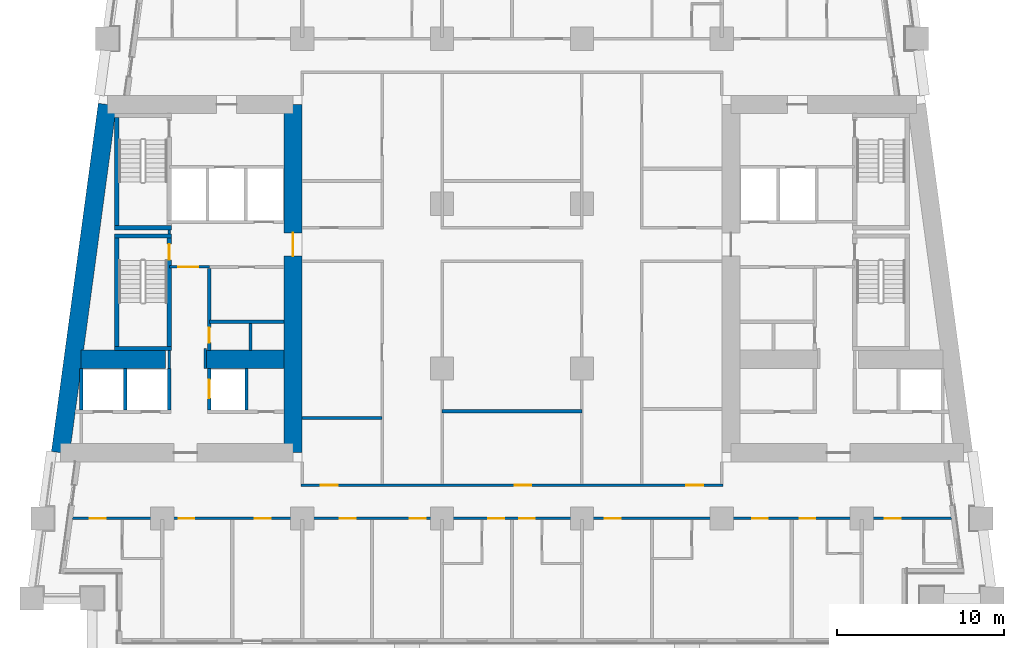
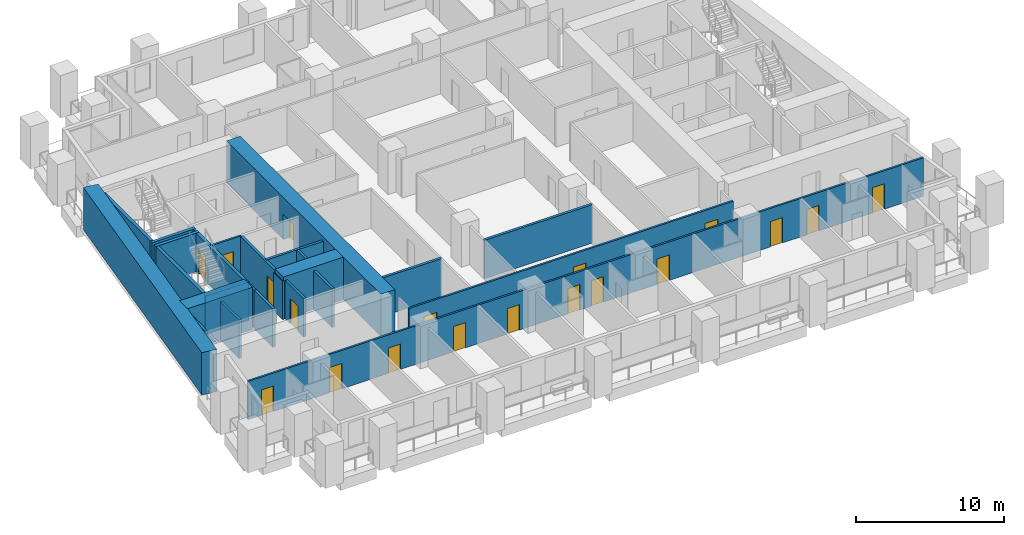
# One storey, part 3 of 12: 26 walls, 19 doors, 19 openings.
"""IFC4 building model written with IfcOpenShell, lengths in metres."""

import ifcopenshell
import ifcopenshell.guid

model = None  # the IFC model being written
_history = None  # IfcOwnerHistory: only IFC2X3 demands one
_inside = {}  # id of a spatial element -> (the spatial element, [elements in it])
_under = {}  # id of a project, library or spatial element -> (it, [spatial elements below it])
_declared = {}  # id of a project -> (the project, [libraries it declares])
_typed = {}  # id of a type object -> (the type object, [elements of that type])
_made_of = {}  # id of a material, layer set ... -> (it, [elements and type objects made of it])


def new_model(schema):
    """Start an empty IFC model of exactly this schema.

    Asked for "IFC4X3", IfcOpenShell would pick the latest addendum, in which some entities
    have other attributes; the version numbers below select the first issue.
    IFC2X3 requires an IfcOwnerHistory on every rooted entity: one is made here for all.
    """
    global model, _history
    if schema == "IFC4X3":
        model = ifcopenshell.file(schema_version=(4, 3, 0, 0))
    else:
        model = ifcopenshell.file(schema=schema)
    _inside.clear()
    _under.clear()
    _declared.clear()
    _typed.clear()
    _made_of.clear()
    _history = None
    if model.schema == "IFC2X3":
        org = make("IfcOrganization", Name="unknown")
        user = make(
            "IfcPersonAndOrganization",
            ThePerson=make("IfcPerson", FamilyName="unknown"),
            TheOrganization=org,
        )
        app = make(
            "IfcApplication",
            ApplicationDeveloper=org,
            Version="unknown",
            ApplicationFullName="unknown",
            ApplicationIdentifier="unknown",
        )
        _history = make(
            "IfcOwnerHistory",
            OwningUser=user,
            OwningApplication=app,
            ChangeAction="ADDED",
            CreationDate=0,
        )
    return model


def make(cls, **values):
    """One entity of the class cls with the attributes given. An attribute that is None is left unset."""
    return model.create_entity(
        cls, **{name: value for name, value in values.items() if value is not None}
    )


def rooted(cls, **values):
    """An entity with a GlobalId (a new one), such as an element, a storey or a relation."""
    return make(cls, GlobalId=ifcopenshell.guid.new(), OwnerHistory=_history, **values)


def si_unit(unit_type, name, prefix=None):
    """IfcSIUnit, for example si_unit("LENGTHUNIT", "METRE", prefix="MILLI")."""
    return make("IfcSIUnit", UnitType=unit_type, Prefix=prefix, Name=name)


def assignment(units):
    """IfcUnitAssignment: the units of a project."""
    return None if units is None else make("IfcUnitAssignment", Units=units)


def point(xyz):
    """IfcCartesianPoint."""
    return None if xyz is None else make("IfcCartesianPoint", Coordinates=xyz)


def direction(xyz):
    """IfcDirection."""
    return None if xyz is None else make("IfcDirection", DirectionRatios=xyz)


def frame(location, z_axis=None, x_axis=None):
    """IfcAxis2Placement3D, a coordinate frame: its origin and axes. An axis left out is left unset."""
    return make(
        "IfcAxis2Placement3D",
        Location=point(location),
        Axis=direction(z_axis),
        RefDirection=direction(x_axis),
    )


def frame_2d(location, x_axis=None):
    """IfcAxis2Placement2D, a coordinate frame in the plane: its origin and x axis."""
    return make(
        "IfcAxis2Placement2D", Location=point(location), RefDirection=direction(x_axis)
    )


def origin():
    """The frame at (0, 0, 0) with its axes left unset."""
    return frame((0.0, 0.0, 0.0))


def place(relative_to, where):
    """IfcLocalPlacement: puts the frame where relative to a parent placement (None: the world)."""
    return make(
        "IfcLocalPlacement", PlacementRelTo=relative_to, RelativePlacement=where
    )


def context(
    kind, dimensions, precision=None, world=None, true_north=None, identifier=None
):
    """IfcGeometricRepresentationContext, for example the 3D "Model" context."""
    return make(
        "IfcGeometricRepresentationContext",
        ContextIdentifier=identifier,
        ContextType=kind,
        CoordinateSpaceDimension=dimensions,
        Precision=precision,
        WorldCoordinateSystem=world,
        TrueNorth=true_north,
    )


def subcontext(parent, identifier, kind, view, scale=None):
    """IfcGeometricRepresentationSubContext, for example "Body" below "Model"."""
    return make(
        "IfcGeometricRepresentationSubContext",
        ContextIdentifier=identifier,
        ContextType=kind,
        ParentContext=parent,
        TargetScale=scale,
        TargetView=view,
    )


def project(units=None, contexts=None):
    """IfcProject with its units and contexts."""
    return rooted(
        "IfcProject",
        Name="project",
        RepresentationContexts=contexts,
        UnitsInContext=assignment(units),
    )


def spatial(cls, under=None, at=None, **own):
    """A site, building, storey or space (cls), placed at a placement, below another one or the project."""
    s = rooted(cls, ObjectPlacement=at, **own)
    if under is not None:
        _under.setdefault(under.id(), (under, []))[1].append(s)
    return s


def profile(cls, at=None, kind="AREA", **sizes):
    """A parametric profile (cls). Its sizes go by their IFC names, for example OverallWidth=200.0."""
    return make(cls, ProfileType=kind, Position=at, **sizes)


def rectangle(**sizes):
    """IfcRectangleProfileDef."""
    return profile("IfcRectangleProfileDef", **sizes)


def extrude(swept, where, along, depth):
    """IfcExtrudedAreaSolid: the profile swept, set in the frame where, extruded along a direction by depth."""
    return make(
        "IfcExtrudedAreaSolid",
        SweptArea=swept,
        Position=where,
        ExtrudedDirection=direction(along),
        Depth=depth,
    )


def shape(context_of_items, identifier, shape_type, items):
    """IfcShapeRepresentation: the items that make up one representation, for example the "Body"."""
    return make(
        "IfcShapeRepresentation",
        ContextOfItems=context_of_items,
        RepresentationIdentifier=identifier,
        RepresentationType=shape_type,
        Items=items,
    )


def material(Name=None, Category=None):
    """IfcMaterial."""
    return make("IfcMaterial", Name=Name, Category=Category)


def layer(
    of_material, thickness, ventilated=None, Name=None, Category=None, Priority=None
):
    """IfcMaterialLayer: one layer of a wall or slab, of a material (None: an air gap)."""
    return make(
        "IfcMaterialLayer",
        Material=of_material,
        LayerThickness=thickness,
        IsVentilated=ventilated,
        Name=Name,
        Category=Category,
        Priority=Priority,
    )


def layer_set(layers, Name=None):
    """IfcMaterialLayerSet."""
    return make("IfcMaterialLayerSet", MaterialLayers=layers, LayerSetName=Name)


def made_of(thing, what):
    """Note that an element or type object is made of a material, layer set ...; save() writes the relation."""
    if what is not None:
        _made_of.setdefault(what.id(), (what, []))[1].append(thing)
    return thing


def type_object(cls, material=None, **own):
    """A type object (cls), such as IfcWallType, which elements share."""
    return made_of(rooted(cls, **own), material)


def element(
    cls,
    number,
    at=None,
    inside=None,
    cuts=None,
    type_object=None,
    material=None,
    context=None,
    identifier="Body",
    shape_type=None,
    held_by="IfcProductDefinitionShape",
    body=None,
    shapes=None,
    **own,
):
    """One element of the class cls, such as IfcWall. Its Tag is "e" and its number.

    at: its placement. inside: the storey or other place that contains it. cuts: it is an
    opening in that element (IfcRelVoidsElement). A single representation is given by context,
    identifier, shape_type and body (its items); several are given by shapes. held_by: the class
    of the entity that holds the representations. save() writes the other relations.
    """
    e = rooted(cls, Tag="e%d" % number, ObjectPlacement=at, **own)
    if body is not None:
        shapes = [shape(context, identifier, shape_type, body)]
    if shapes is not None:
        e.Representation = make(held_by, Representations=shapes)
    if inside is not None:
        _inside.setdefault(inside.id(), (inside, []))[1].append(e)
    if cuts is not None:
        rooted(
            "IfcRelVoidsElement", RelatingBuildingElement=cuts, RelatedOpeningElement=e
        )
    if type_object is not None:
        _typed.setdefault(type_object.id(), (type_object, []))[1].append(e)
    return made_of(e, material)


def fill(opening, filler):
    """IfcRelFillsElement: the door or window that sits in an opening."""
    return rooted(
        "IfcRelFillsElement",
        RelatingOpeningElement=opening,
        RelatedBuildingElement=filler,
    )


def aggregate(whole, parts):
    """IfcRelAggregates: a whole, such as a stair, and the parts it consists of."""
    return rooted("IfcRelAggregates", RelatingObject=whole, RelatedObjects=parts)


def save(model, path):
    """Write the relations noted so far, then the file.

    IfcRelAggregates (storeys below a building ...), IfcRelContainedInSpatialStructure (elements
    in a storey), IfcRelDefinesByType, IfcRelAssociatesMaterial and IfcRelDeclares: one each for
    every whole, place, type object, material and project.
    """
    for whole, parts in _under.values():
        aggregate(whole, parts)
    for where, things in _inside.values():
        rooted(
            "IfcRelContainedInSpatialStructure",
            RelatedElements=things,
            RelatingStructure=where,
        )
    for kind, things in _typed.values():
        rooted("IfcRelDefinesByType", RelatedObjects=things, RelatingType=kind)
    for what, things in _made_of.values():
        rooted("IfcRelAssociatesMaterial", RelatedObjects=things, RelatingMaterial=what)
    for by, libraries in _declared.values():
        rooted("IfcRelDeclares", RelatingContext=by, RelatedDefinitions=libraries)
    model.write(path)


model = new_model("IFC4")

# Units and contexts
model_context = context("Model", 3, precision=1e-05, world=origin(), true_north=direction((0.0, 1.0)))
body_context = subcontext(model_context, "Body", "Model", "MODEL_VIEW")
ifc_project = project(units=[si_unit("LENGTHUNIT", "METRE"), si_unit("AREAUNIT", "SQUARE_METRE"), si_unit("VOLUMEUNIT", "CUBIC_METRE"), si_unit("PLANEANGLEUNIT", "RADIAN"), si_unit("MASSUNIT", "GRAM", prefix="KILO")], contexts=[model_context])

# Site, building, storey
site_placement = place(None, origin())
site = spatial("IfcSite", under=ifc_project, at=site_placement, CompositionType="ELEMENT")
building_placement = place(site_placement, origin())
building = spatial("IfcBuilding", under=site, at=building_placement, Name="Candeia Pilgrim Tower and Theatre", CompositionType="ELEMENT")
storey_placement = place(building_placement, frame((0.0, 0.0, 42.5)))
storey = spatial("IfcBuildingStorey", under=building, at=storey_placement, Name="L07", CompositionType="ELEMENT", Elevation=42.5)

# Wall, opening, door
ifc_material_1 = material(Name="Concrete C80/95", Category="concrete")
ifc_layer_1 = layer(ifc_material_1, 1.10009765625)
ifc_layer_set_1 = layer_set([ifc_layer_1], Name="Core wall 1100 C80/95")
wall_type_1 = type_object("IfcWallType", Name="Core wall 1100 C80/95", PredefinedType="SHEAR", material=ifc_layer_set_1)
wall_1_placement = place(storey_placement, frame((100.25, 131.85009765625, 0.0), z_axis=(0.0, 0.0, 1.0), x_axis=(0.0, -1.0, 0.0)))
wall_1 = element("IfcWall", 1, at=wall_1_placement, inside=storey, type_object=wall_type_1, Name="Core wall W2", PredefinedType="SHEAR", context=body_context, shape_type="SweptSolid", body=[
    extrude(rectangle(XDim=20.900146484375, YDim=1.10009765625, at=frame_2d((10.4501953125, 0.0))), origin(), (0.0, 0.0, 1.0), 3.5),
])
opening_1_placement = place(wall_1_placement, frame((7.699951171875, 0.0, 0.0)))
opening_1 = element("IfcOpeningElement", 2, at=opening_1_placement, cuts=wall_1, Name="Opening L07-D057", PredefinedType="OPENING", context=body_context, shape_type="SweptSolid", body=[
    extrude(rectangle(XDim=1.39990234375, YDim=2.10009765625, at=frame_2d((0.699951171875, 1.050048828125))), frame((0.0, 0.56005859375, 0.0), z_axis=(0.0, -1.0, 0.0), x_axis=(1.0, 0.0, 0.0)), (0.0, 0.0, 1.0), 1.1201171875),
])
ifc_material_2 = material(Name="Steel fire door set", Category="steel")
door_type_1 = type_object("IfcDoorType", Name="D-1400-FD60", OperationType="NOTDEFINED", PredefinedType="DOOR", material=ifc_material_2)
door_1_placement = place(opening_1_placement, origin())
door_1 = element("IfcDoor", 3, at=door_1_placement, inside=storey, type_object=door_type_1, Name="Door L07-D057", OperationType="SINGLE_SWING_RIGHT", OverallHeight=2.10009765625, OverallWidth=1.39990234375, PredefinedType="DOOR", context=body_context, shape_type="SweptSolid", body=[
    extrude(rectangle(XDim=1.39990234375, YDim=2.10009765625, at=frame_2d((0.699951171875, 1.050048828125))), frame((0.0, 0.02490234375, 0.0), z_axis=(0.0, -1.0, 0.0), x_axis=(1.0, 0.0, 0.0)), (0.0, 0.0, 1.0), 0.050048828125),
])
fill(opening_1, door_1)

# Walls
wall_2_placement = place(storey_placement, frame((86.29833984375, 110.949951171875, 0.0), z_axis=(0.0, 0.0, 1.0), x_axis=(0.133400422634, 0.99106222168, 0.0)))
element("IfcWall", 4, at=wall_2_placement, inside=storey, type_object=wall_type_1, Name="Core wall W4", PredefinedType="SHEAR", context=body_context, shape_type="SweptSolid", body=[
    extrude(rectangle(XDim=21.088623046875, YDim=1.10009765625, at=frame_2d((10.54443359375, 0.0))), origin(), (0.0, 0.0, 1.0), 3.5),
])
wall_3_placement = place(storey_placement, frame((87.523193359375, 116.550048828125, 0.0), z_axis=(0.0, 0.0, 1.0), x_axis=(1.0, 0.0, 0.0)))
element("IfcWall", 5, at=wall_3_placement, inside=storey, type_object=wall_type_1, Name="Core wall W5", PredefinedType="SHEAR", context=body_context, shape_type="SweptSolid", body=[
    extrude(rectangle(XDim=5.076904296875, YDim=1.10009765625, at=frame_2d((2.53857421875, 0.0))), origin(), (0.0, 0.0, 1.0), 3.5),
])
wall_4_placement = place(storey_placement, frame((95.0, 116.550048828125, 0.0), z_axis=(0.0, 0.0, 1.0), x_axis=(1.0, 0.0, 0.0)))
element("IfcWall", 6, at=wall_4_placement, inside=storey, type_object=wall_type_1, Name="Core wall W6", PredefinedType="SHEAR", context=body_context, shape_type="SweptSolid", body=[
    extrude(rectangle(XDim=4.699951171875, YDim=1.10009765625, at=frame_2d((2.35009765625, 0.0))), origin(), (0.0, 0.0, 1.0), 3.5),
])

# Wall, opening, door
ifc_material_3 = material(Name="Gypsum board partition on steel studs", Category="steel")
ifc_layer_2 = layer(ifc_material_3, 0.14990234375)
ifc_layer_set_2 = layer_set([ifc_layer_2], Name="PW-150 lobby wall")
wall_type_2 = type_object("IfcWallType", Name="PW-150 lobby wall", PredefinedType="PARTITIONING", material=ifc_layer_set_2)
wall_5_placement = place(storey_placement, frame((92.826904296875, 122.10009765625, 0.0), z_axis=(0.0, 0.0, 1.0), x_axis=(1.0, 0.0, 0.0)))
wall_5 = element("IfcWall", 7, at=wall_5_placement, inside=storey, type_object=wall_type_2, Name="Lobby wall L07-022", PredefinedType="PARTITIONING", context=body_context, shape_type="SweptSolid", body=[
    extrude(rectangle(XDim=2.400146484375, YDim=0.14990234375, at=frame_2d((1.2001953125, 0.0))), origin(), (0.0, 0.0, 1.0), 3.179931640625),
])
opening_2_placement = place(wall_5_placement, frame((0.550048828125, 0.0, 0.0)))
opening_2 = element("IfcOpeningElement", 8, at=opening_2_placement, cuts=wall_5, Name="Opening L07-D001", PredefinedType="OPENING", context=body_context, shape_type="SweptSolid", body=[
    extrude(rectangle(XDim=1.199951171875, YDim=2.10009765625, at=frame_2d((0.60009765625, 1.050048828125))), frame((0.0, 0.0849609375, 0.0), z_axis=(0.0, -1.0, 0.0), x_axis=(1.0, 0.0, 0.0)), (0.0, 0.0, 1.0), 0.169921875),
])
door_type_2 = type_object("IfcDoorType", Name="D-1200-FD60", OperationType="NOTDEFINED", PredefinedType="DOOR", material=ifc_material_2)
door_2_placement = place(opening_2_placement, origin())
door_2 = element("IfcDoor", 9, at=door_2_placement, inside=storey, type_object=door_type_2, Name="Door L07-D001", OperationType="SINGLE_SWING_RIGHT", OverallHeight=2.10009765625, OverallWidth=1.199951171875, PredefinedType="DOOR", context=body_context, shape_type="SweptSolid", body=[
    extrude(rectangle(XDim=1.199951171875, YDim=2.10009765625, at=frame_2d((0.60009765625, 1.050048828125))), frame((0.0, 0.02490234375, 0.0), z_axis=(0.0, -1.0, 0.0), x_axis=(1.0, 0.0, 0.0)), (0.0, 0.0, 1.0), 0.050048828125),
])
fill(opening_2, door_2)

# Walls
wall_6_placement = place(storey_placement, frame((92.826904296875, 116.0, 0.0), z_axis=(0.0, 0.0, 1.0), x_axis=(0.0, 1.0, 0.0)))
element("IfcWall", 10, at=wall_6_placement, inside=storey, type_object=wall_type_2, Name="Lobby wall L07-059", PredefinedType="PARTITIONING", context=body_context, shape_type="SweptSolid", body=[
    extrude(rectangle(XDim=1.070068359375, YDim=0.14990234375, at=frame_2d((0.53515625, 0.0))), origin(), (0.0, 0.0, 1.0), 3.179931640625),
])
wall_7_placement = place(storey_placement, frame((92.826904296875, 124.074951171875, 0.0), z_axis=(0.0, 0.0, 1.0), x_axis=(0.0, 1.0, 0.0)))
element("IfcWall", 11, at=wall_7_placement, inside=storey, type_object=wall_type_2, Name="Lobby wall L07-060", PredefinedType="PARTITIONING", context=body_context, shape_type="SweptSolid", body=[
    extrude(rectangle(XDim=0.25, YDim=0.14990234375, at=frame_2d((0.125, 0.0))), origin(), (0.0, 0.0, 1.0), 3.179931640625),
])
wall_8_placement = place(storey_placement, frame((95.0, 116.0, 0.0), z_axis=(0.0, 0.0, 1.0), x_axis=(0.0, 1.0, 0.0)))
element("IfcWall", 12, at=wall_8_placement, inside=storey, type_object=wall_type_2, Name="Lobby wall L07-064", PredefinedType="PARTITIONING", context=body_context, shape_type="SweptSolid", body=[
    extrude(rectangle(XDim=1.199951171875, YDim=0.14990234375, at=frame_2d((0.60009765625, 0.0))), origin(), (0.0, 0.0, 1.0), 3.179931640625),
])

# Wall, openings, doors
ifc_layer_3 = layer(ifc_material_3, 0.14990234375)
ifc_layer_set_3 = layer_set([ifc_layer_3], Name="PW-150 unit wall")
wall_type_3 = type_object("IfcWallType", Name="PW-150 unit wall", PredefinedType="PARTITIONING", material=ifc_layer_set_3)
wall_9_placement = place(storey_placement, frame((87.017578125, 107.0, 0.0), z_axis=(0.0, 0.0, 1.0), x_axis=(1.0, 0.0, 0.0)))
wall_9 = element("IfcWall", 13, at=wall_9_placement, inside=storey, type_object=wall_type_3, Name="Unit wall L07-007", PredefinedType="PARTITIONING", context=body_context, shape_type="SweptSolid", body=[
    extrude(rectangle(XDim=52.7646484375, YDim=0.14990234375, at=frame_2d((26.38232421875, 0.0))), origin(), (0.0, 0.0, 1.0), 3.179931640625),
])
opening_3_placement = place(wall_9_placement, frame((1.0322265625, 0.0, 0.0)))
opening_3 = element("IfcOpeningElement", 14, at=opening_3_placement, cuts=wall_9, Name="Opening L07-D014", PredefinedType="OPENING", context=body_context, shape_type="SweptSolid", body=[
    extrude(rectangle(XDim=0.949951171875, YDim=2.10009765625, at=frame_2d((0.47509765625, 1.050048828125))), frame((0.0, 0.0849609375, 0.0), z_axis=(0.0, -1.0, 0.0), x_axis=(1.0, 0.0, 0.0)), (0.0, 0.0, 1.0), 0.169921875),
])
opening_4_placement = place(wall_9_placement, frame((6.369384765625, 0.0, 0.0)))
opening_4 = element("IfcOpeningElement", 15, at=opening_4_placement, cuts=wall_9, Name="Opening L07-D016", PredefinedType="OPENING", context=body_context, shape_type="SweptSolid", body=[
    extrude(rectangle(XDim=0.949951171875, YDim=2.10009765625, at=frame_2d((0.47509765625, 1.050048828125))), frame((0.0, 0.0849609375, 0.0), z_axis=(0.0, -1.0, 0.0), x_axis=(1.0, 0.0, 0.0)), (0.0, 0.0, 1.0), 0.169921875),
])
opening_5_placement = place(wall_9_placement, frame((10.952392578125, 0.0, 0.0)))
opening_5 = element("IfcOpeningElement", 16, at=opening_5_placement, cuts=wall_9, Name="Opening L07-D017", PredefinedType="OPENING", context=body_context, shape_type="SweptSolid", body=[
    extrude(rectangle(XDim=0.949951171875, YDim=2.10009765625, at=frame_2d((0.47509765625, 1.050048828125))), frame((0.0, 0.0849609375, 0.0), z_axis=(0.0, -1.0, 0.0), x_axis=(1.0, 0.0, 0.0)), (0.0, 0.0, 1.0), 0.169921875),
])
opening_6_placement = place(wall_9_placement, frame((16.04541015625, 0.0, 0.0)))
opening_6 = element("IfcOpeningElement", 17, at=opening_6_placement, cuts=wall_9, Name="Opening L07-D018", PredefinedType="OPENING", context=body_context, shape_type="SweptSolid", body=[
    extrude(rectangle(XDim=0.949951171875, YDim=2.10009765625, at=frame_2d((0.47509765625, 1.050048828125))), frame((0.0, 0.0849609375, 0.0), z_axis=(0.0, -1.0, 0.0), x_axis=(1.0, 0.0, 0.0)), (0.0, 0.0, 1.0), 0.169921875),
])
opening_7_placement = place(wall_9_placement, frame((20.245361328125, 0.0, 0.0)))
opening_7 = element("IfcOpeningElement", 18, at=opening_7_placement, cuts=wall_9, Name="Opening L07-D019", PredefinedType="OPENING", context=body_context, shape_type="SweptSolid", body=[
    extrude(rectangle(XDim=0.949951171875, YDim=2.10009765625, at=frame_2d((0.47509765625, 1.050048828125))), frame((0.0, 0.0849609375, 0.0), z_axis=(0.0, -1.0, 0.0), x_axis=(1.0, 0.0, 0.0)), (0.0, 0.0, 1.0), 0.169921875),
])
opening_8_placement = place(wall_9_placement, frame((24.96923828125, 0.0, 0.0)))
opening_8 = element("IfcOpeningElement", 19, at=opening_8_placement, cuts=wall_9, Name="Opening L07-D020", PredefinedType="OPENING", context=body_context, shape_type="SweptSolid", body=[
    extrude(rectangle(XDim=0.949951171875, YDim=2.10009765625, at=frame_2d((0.47509765625, 1.050048828125))), frame((0.0, 0.0849609375, 0.0), z_axis=(0.0, -1.0, 0.0), x_axis=(1.0, 0.0, 0.0)), (0.0, 0.0, 1.0), 0.169921875),
])
opening_9_placement = place(wall_9_placement, frame((26.807373046875, 0.0, 0.0)))
opening_9 = element("IfcOpeningElement", 20, at=opening_9_placement, cuts=wall_9, Name="Opening L07-D022", PredefinedType="OPENING", context=body_context, shape_type="SweptSolid", body=[
    extrude(rectangle(XDim=0.949951171875, YDim=2.10009765625, at=frame_2d((0.47509765625, 1.050048828125))), frame((0.0, 0.0849609375, 0.0), z_axis=(0.0, -1.0, 0.0), x_axis=(1.0, 0.0, 0.0)), (0.0, 0.0, 1.0), 0.169921875),
])
opening_10_placement = place(wall_9_placement, frame((31.952392578125, 0.0, 0.0)))
opening_10 = element("IfcOpeningElement", 21, at=opening_10_placement, cuts=wall_9, Name="Opening L07-D024", PredefinedType="OPENING", context=body_context, shape_type="SweptSolid", body=[
    extrude(rectangle(XDim=0.949951171875, YDim=2.10009765625, at=frame_2d((0.47509765625, 1.050048828125))), frame((0.0, 0.0849609375, 0.0), z_axis=(0.0, -1.0, 0.0), x_axis=(1.0, 0.0, 0.0)), (0.0, 0.0, 1.0), 0.169921875),
])
opening_11_placement = place(wall_9_placement, frame((40.79541015625, 0.0, 0.0)))
opening_11 = element("IfcOpeningElement", 22, at=opening_11_placement, cuts=wall_9, Name="Opening L07-D025", PredefinedType="OPENING", context=body_context, shape_type="SweptSolid", body=[
    extrude(rectangle(XDim=0.949951171875, YDim=2.10009765625, at=frame_2d((0.47509765625, 1.050048828125))), frame((0.0, 0.0849609375, 0.0), z_axis=(0.0, -1.0, 0.0), x_axis=(1.0, 0.0, 0.0)), (0.0, 0.0, 1.0), 0.169921875),
])
opening_12_placement = place(wall_9_placement, frame((43.644287109375, 0.0, 0.0)))
opening_12 = element("IfcOpeningElement", 23, at=opening_12_placement, cuts=wall_9, Name="Opening L07-D027", PredefinedType="OPENING", context=body_context, shape_type="SweptSolid", body=[
    extrude(rectangle(XDim=0.949951171875, YDim=2.10009765625, at=frame_2d((0.47509765625, 1.050048828125))), frame((0.0, 0.0849609375, 0.0), z_axis=(0.0, -1.0, 0.0), x_axis=(1.0, 0.0, 0.0)), (0.0, 0.0, 1.0), 0.169921875),
])
opening_13_placement = place(wall_9_placement, frame((48.767333984375, 0.0, 0.0)))
opening_13 = element("IfcOpeningElement", 24, at=opening_13_placement, cuts=wall_9, Name="Opening L07-D029", PredefinedType="OPENING", context=body_context, shape_type="SweptSolid", body=[
    extrude(rectangle(XDim=0.949951171875, YDim=2.10009765625, at=frame_2d((0.47509765625, 1.050048828125))), frame((0.0, 0.0849609375, 0.0), z_axis=(0.0, -1.0, 0.0), x_axis=(1.0, 0.0, 0.0)), (0.0, 0.0, 1.0), 0.169921875),
])
door_type_3 = type_object("IfcDoorType", Name="D-950-FD30S", OperationType="NOTDEFINED", PredefinedType="DOOR", material=ifc_material_2)
door_3_placement = place(opening_3_placement, origin())
door_3 = element("IfcDoor", 25, at=door_3_placement, inside=storey, type_object=door_type_3, Name="Door L07-D014", OperationType="SINGLE_SWING_LEFT", OverallHeight=2.10009765625, OverallWidth=0.949951171875, PredefinedType="DOOR", context=body_context, shape_type="SweptSolid", body=[
    extrude(rectangle(XDim=0.949951171875, YDim=2.10009765625, at=frame_2d((0.47509765625, 1.050048828125))), frame((0.0, 0.02490234375, 0.0), z_axis=(0.0, -1.0, 0.0), x_axis=(1.0, 0.0, 0.0)), (0.0, 0.0, 1.0), 0.050048828125),
])
fill(opening_3, door_3)
door_4_placement = place(opening_4_placement, origin())
door_4 = element("IfcDoor", 26, at=door_4_placement, inside=storey, type_object=door_type_3, Name="Door L07-D016", OperationType="SINGLE_SWING_LEFT", OverallHeight=2.10009765625, OverallWidth=0.949951171875, PredefinedType="DOOR", context=body_context, shape_type="SweptSolid", body=[
    extrude(rectangle(XDim=0.949951171875, YDim=2.10009765625, at=frame_2d((0.47509765625, 1.050048828125))), frame((0.0, 0.02490234375, 0.0), z_axis=(0.0, -1.0, 0.0), x_axis=(1.0, 0.0, 0.0)), (0.0, 0.0, 1.0), 0.050048828125),
])
fill(opening_4, door_4)
door_5_placement = place(opening_5_placement, origin())
door_5 = element("IfcDoor", 27, at=door_5_placement, inside=storey, type_object=door_type_3, Name="Door L07-D017", OperationType="SINGLE_SWING_RIGHT", OverallHeight=2.10009765625, OverallWidth=0.949951171875, PredefinedType="DOOR", context=body_context, shape_type="SweptSolid", body=[
    extrude(rectangle(XDim=0.949951171875, YDim=2.10009765625, at=frame_2d((0.47509765625, 1.050048828125))), frame((0.0, 0.02490234375, 0.0), z_axis=(0.0, -1.0, 0.0), x_axis=(1.0, 0.0, 0.0)), (0.0, 0.0, 1.0), 0.050048828125),
])
fill(opening_5, door_5)
door_6_placement = place(opening_6_placement, origin())
door_6 = element("IfcDoor", 28, at=door_6_placement, inside=storey, type_object=door_type_3, Name="Door L07-D018", OperationType="SINGLE_SWING_LEFT", OverallHeight=2.10009765625, OverallWidth=0.949951171875, PredefinedType="DOOR", context=body_context, shape_type="SweptSolid", body=[
    extrude(rectangle(XDim=0.949951171875, YDim=2.10009765625, at=frame_2d((0.47509765625, 1.050048828125))), frame((0.0, 0.02490234375, 0.0), z_axis=(0.0, -1.0, 0.0), x_axis=(1.0, 0.0, 0.0)), (0.0, 0.0, 1.0), 0.050048828125),
])
fill(opening_6, door_6)
door_7_placement = place(opening_7_placement, origin())
door_7 = element("IfcDoor", 29, at=door_7_placement, inside=storey, type_object=door_type_3, Name="Door L07-D019", OperationType="SINGLE_SWING_RIGHT", OverallHeight=2.10009765625, OverallWidth=0.949951171875, PredefinedType="DOOR", context=body_context, shape_type="SweptSolid", body=[
    extrude(rectangle(XDim=0.949951171875, YDim=2.10009765625, at=frame_2d((0.47509765625, 1.050048828125))), frame((0.0, 0.02490234375, 0.0), z_axis=(0.0, -1.0, 0.0), x_axis=(1.0, 0.0, 0.0)), (0.0, 0.0, 1.0), 0.050048828125),
])
fill(opening_7, door_7)
door_8_placement = place(opening_8_placement, origin())
door_8 = element("IfcDoor", 30, at=door_8_placement, inside=storey, type_object=door_type_3, Name="Door L07-D020", OperationType="SINGLE_SWING_LEFT", OverallHeight=2.10009765625, OverallWidth=0.949951171875, PredefinedType="DOOR", context=body_context, shape_type="SweptSolid", body=[
    extrude(rectangle(XDim=0.949951171875, YDim=2.10009765625, at=frame_2d((0.47509765625, 1.050048828125))), frame((0.0, 0.02490234375, 0.0), z_axis=(0.0, -1.0, 0.0), x_axis=(1.0, 0.0, 0.0)), (0.0, 0.0, 1.0), 0.050048828125),
])
fill(opening_8, door_8)
door_9_placement = place(opening_9_placement, origin())
door_9 = element("IfcDoor", 31, at=door_9_placement, inside=storey, type_object=door_type_3, Name="Door L07-D022", OperationType="SINGLE_SWING_LEFT", OverallHeight=2.10009765625, OverallWidth=0.949951171875, PredefinedType="DOOR", context=body_context, shape_type="SweptSolid", body=[
    extrude(rectangle(XDim=0.949951171875, YDim=2.10009765625, at=frame_2d((0.47509765625, 1.050048828125))), frame((0.0, 0.02490234375, 0.0), z_axis=(0.0, -1.0, 0.0), x_axis=(1.0, 0.0, 0.0)), (0.0, 0.0, 1.0), 0.050048828125),
])
fill(opening_9, door_9)
door_10_placement = place(opening_10_placement, origin())
door_10 = element("IfcDoor", 32, at=door_10_placement, inside=storey, type_object=door_type_3, Name="Door L07-D024", OperationType="SINGLE_SWING_LEFT", OverallHeight=2.10009765625, OverallWidth=0.949951171875, PredefinedType="DOOR", context=body_context, shape_type="SweptSolid", body=[
    extrude(rectangle(XDim=0.949951171875, YDim=2.10009765625, at=frame_2d((0.47509765625, 1.050048828125))), frame((0.0, 0.02490234375, 0.0), z_axis=(0.0, -1.0, 0.0), x_axis=(1.0, 0.0, 0.0)), (0.0, 0.0, 1.0), 0.050048828125),
])
fill(opening_10, door_10)
door_11_placement = place(opening_11_placement, origin())
door_11 = element("IfcDoor", 33, at=door_11_placement, inside=storey, type_object=door_type_3, Name="Door L07-D025", OperationType="SINGLE_SWING_RIGHT", OverallHeight=2.10009765625, OverallWidth=0.949951171875, PredefinedType="DOOR", context=body_context, shape_type="SweptSolid", body=[
    extrude(rectangle(XDim=0.949951171875, YDim=2.10009765625, at=frame_2d((0.47509765625, 1.050048828125))), frame((0.0, 0.02490234375, 0.0), z_axis=(0.0, -1.0, 0.0), x_axis=(1.0, 0.0, 0.0)), (0.0, 0.0, 1.0), 0.050048828125),
])
fill(opening_11, door_11)
door_12_placement = place(opening_12_placement, origin())
door_12 = element("IfcDoor", 34, at=door_12_placement, inside=storey, type_object=door_type_3, Name="Door L07-D027", OperationType="SINGLE_SWING_RIGHT", OverallHeight=2.10009765625, OverallWidth=0.949951171875, PredefinedType="DOOR", context=body_context, shape_type="SweptSolid", body=[
    extrude(rectangle(XDim=0.949951171875, YDim=2.10009765625, at=frame_2d((0.47509765625, 1.050048828125))), frame((0.0, 0.02490234375, 0.0), z_axis=(0.0, -1.0, 0.0), x_axis=(1.0, 0.0, 0.0)), (0.0, 0.0, 1.0), 0.050048828125),
])
fill(opening_12, door_12)
door_13_placement = place(opening_13_placement, origin())
door_13 = element("IfcDoor", 35, at=door_13_placement, inside=storey, type_object=door_type_3, Name="Door L07-D029", OperationType="SINGLE_SWING_RIGHT", OverallHeight=2.10009765625, OverallWidth=0.949951171875, PredefinedType="DOOR", context=body_context, shape_type="SweptSolid", body=[
    extrude(rectangle(XDim=0.949951171875, YDim=2.10009765625, at=frame_2d((0.47509765625, 1.050048828125))), frame((0.0, 0.02490234375, 0.0), z_axis=(0.0, -1.0, 0.0), x_axis=(1.0, 0.0, 0.0)), (0.0, 0.0, 1.0), 0.050048828125),
])
fill(opening_13, door_13)

wall_10_placement = place(storey_placement, frame((100.72509765625, 109.0, 0.0), z_axis=(0.0, 0.0, 1.0), x_axis=(1.0, 0.0, 0.0)))
wall_10 = element("IfcWall", 36, at=wall_10_placement, inside=storey, type_object=wall_type_3, Name="Unit wall L07-008", PredefinedType="PARTITIONING", context=body_context, shape_type="SweptSolid", body=[
    extrude(rectangle(XDim=25.349853515625, YDim=0.14990234375, at=frame_2d((12.6748046875, 0.0))), origin(), (0.0, 0.0, 1.0), 3.179931640625),
])
opening_14_placement = place(wall_10_placement, frame((1.199951171875, 0.0, 0.0)))
opening_14 = element("IfcOpeningElement", 37, at=opening_14_placement, cuts=wall_10, Name="Opening L07-D043", PredefinedType="OPENING", context=body_context, shape_type="SweptSolid", body=[
    extrude(rectangle(XDim=1.0, YDim=2.10009765625, at=frame_2d((0.5, 1.050048828125))), frame((0.0, 0.0849609375, 0.0), z_axis=(0.0, -1.0, 0.0), x_axis=(1.0, 0.0, 0.0)), (0.0, 0.0, 1.0), 0.169921875),
])
opening_15_placement = place(wall_10_placement, frame((12.844970703125, 0.0, 0.0)))
opening_15 = element("IfcOpeningElement", 38, at=opening_15_placement, cuts=wall_10, Name="Opening L07-D047", PredefinedType="OPENING", context=body_context, shape_type="SweptSolid", body=[
    extrude(rectangle(XDim=1.0, YDim=2.10009765625, at=frame_2d((0.5, 1.050048828125))), frame((0.0, 0.0849609375, 0.0), z_axis=(0.0, -1.0, 0.0), x_axis=(1.0, 0.0, 0.0)), (0.0, 0.0, 1.0), 0.169921875),
])
opening_16_placement = place(wall_10_placement, frame((23.14990234375, 0.0, 0.0)))
opening_16 = element("IfcOpeningElement", 39, at=opening_16_placement, cuts=wall_10, Name="Opening L07-D051", PredefinedType="OPENING", context=body_context, shape_type="SweptSolid", body=[
    extrude(rectangle(XDim=1.0, YDim=2.10009765625, at=frame_2d((0.5, 1.050048828125))), frame((0.0, 0.0849609375, 0.0), z_axis=(0.0, -1.0, 0.0), x_axis=(1.0, 0.0, 0.0)), (0.0, 0.0, 1.0), 0.169921875),
])
door_type_4 = type_object("IfcDoorType", Name="D-1000-FD30S", OperationType="NOTDEFINED", PredefinedType="DOOR", material=ifc_material_2)
door_14_placement = place(opening_14_placement, origin())
door_14 = element("IfcDoor", 40, at=door_14_placement, inside=storey, type_object=door_type_4, Name="Door L07-D043", OperationType="SINGLE_SWING_RIGHT", OverallHeight=2.10009765625, OverallWidth=1.0, PredefinedType="DOOR", context=body_context, shape_type="SweptSolid", body=[
    extrude(rectangle(XDim=1.0, YDim=2.10009765625, at=frame_2d((0.5, 1.050048828125))), frame((0.0, 0.02490234375, 0.0), z_axis=(0.0, -1.0, 0.0), x_axis=(1.0, 0.0, 0.0)), (0.0, 0.0, 1.0), 0.050048828125),
])
fill(opening_14, door_14)
door_15_placement = place(opening_15_placement, origin())
door_15 = element("IfcDoor", 41, at=door_15_placement, inside=storey, type_object=door_type_4, Name="Door L07-D047", OperationType="SINGLE_SWING_RIGHT", OverallHeight=2.10009765625, OverallWidth=1.0, PredefinedType="DOOR", context=body_context, shape_type="SweptSolid", body=[
    extrude(rectangle(XDim=1.0, YDim=2.10009765625, at=frame_2d((0.5, 1.050048828125))), frame((0.0, 0.02490234375, 0.0), z_axis=(0.0, -1.0, 0.0), x_axis=(1.0, 0.0, 0.0)), (0.0, 0.0, 1.0), 0.050048828125),
])
fill(opening_15, door_15)
door_16_placement = place(opening_16_placement, origin())
door_16 = element("IfcDoor", 42, at=door_16_placement, inside=storey, type_object=door_type_4, Name="Door L07-D051", OperationType="SINGLE_SWING_RIGHT", OverallHeight=2.10009765625, OverallWidth=1.0, PredefinedType="DOOR", context=body_context, shape_type="SweptSolid", body=[
    extrude(rectangle(XDim=1.0, YDim=2.10009765625, at=frame_2d((0.5, 1.050048828125))), frame((0.0, 0.02490234375, 0.0), z_axis=(0.0, -1.0, 0.0), x_axis=(1.0, 0.0, 0.0)), (0.0, 0.0, 1.0), 0.050048828125),
])
fill(opening_16, door_16)

# Walls
ifc_layer_4 = layer(ifc_material_3, 0.199951171875)
ifc_layer_set_4 = layer_set([ifc_layer_4], Name="PW-200 party wall")
wall_type_4 = type_object("IfcWallType", Name="PW-200 party wall", PredefinedType="PARTITIONING", material=ifc_layer_set_4)
wall_11_placement = place(storey_placement, frame((100.800048828125, 113.034912109375, 0.0), z_axis=(0.0, 0.0, 1.0), x_axis=(1.0, 0.0, 0.0)))
element("IfcWall", 43, at=wall_11_placement, inside=storey, type_object=wall_type_4, Name="Party wall L07-009", PredefinedType="PARTITIONING", context=body_context, shape_type="SweptSolid", body=[
    extrude(rectangle(XDim=4.800048828125, YDim=0.199951171875, at=frame_2d((2.39990234375, 0.0))), origin(), (0.0, 0.0, 1.0), 3.179931640625),
])
wall_12_placement = place(storey_placement, frame((109.199951171875, 113.4384765625, 0.0), z_axis=(0.0, 0.0, 1.0), x_axis=(1.0, 0.0, 0.0)))
element("IfcWall", 44, at=wall_12_placement, inside=storey, type_object=wall_type_4, Name="Party wall L07-014", PredefinedType="PARTITIONING", context=body_context, shape_type="SweptSolid", body=[
    extrude(rectangle(XDim=8.400146484375, YDim=0.199951171875, at=frame_2d((4.2001953125, 0.0))), origin(), (0.0, 0.0, 1.0), 3.179931640625),
])
ifc_material_4 = material(Name="Concrete C40/50", Category="concrete")
ifc_layer_5 = layer(ifc_material_4, 0.199951171875)
ifc_layer_set_5 = layer_set([ifc_layer_5], Name="SW-200 shaft wall")
wall_type_5 = type_object("IfcWallType", Name="SW-200 shaft wall", PredefinedType="PARTITIONING", material=ifc_layer_set_5)
wall_13_placement = place(storey_placement, frame((95.22705078125, 118.800048828125, 0.0), z_axis=(0.0, 0.0, 1.0), x_axis=(1.0, 0.0, 0.0)))
element("IfcWall", 45, at=wall_13_placement, inside=storey, type_object=wall_type_5, Name="Shaft wall L07-018", PredefinedType="PARTITIONING", context=body_context, shape_type="SweptSolid", body=[
    extrude(rectangle(XDim=4.472900390625, YDim=0.199951171875, at=frame_2d((2.236328125, 0.0))), origin(), (0.0, 0.0, 1.0), 3.179931640625),
])
for number, where, z_axis, x_axis, name in (
    (46, (87.552001953125, 113.5, 0.0), (0.0, 0.0, 1.0), (0.0, 1.0, 0.0), "Shaft wall L07-051"),
    (47, (90.178466796875, 113.5, 0.0), (0.0, 0.0, 1.0), (0.0, 1.0, 0.0), "Shaft wall L07-056"),
    (48, (92.826904296875, 113.5, 0.0), (0.0, 0.0, 1.0), (0.0, 1.0, 0.0), "Shaft wall L07-058"),
):
    element("IfcWall", number, at=place(storey_placement, frame(where, z_axis=z_axis, x_axis=x_axis)), inside=storey, type_object=wall_type_5, Name=name, PredefinedType="PARTITIONING", context=body_context, shape_type="SweptSolid", body=[
        extrude(rectangle(XDim=2.5, YDim=0.199951171875, at=frame_2d((1.25, 0.0))), origin(), (0.0, 0.0, 1.0), 3.179931640625),
    ])

# Wall, opening, door
wall_14_placement = place(storey_placement, frame((95.22705078125, 113.5, 0.0), z_axis=(0.0, 0.0, 1.0), x_axis=(0.0, 1.0, 0.0)))
wall_14 = element("IfcWall", 49, at=wall_14_placement, inside=storey, type_object=wall_type_5, Name="Shaft wall L07-066", PredefinedType="PARTITIONING", context=body_context, shape_type="SweptSolid", body=[
    extrude(rectangle(XDim=2.5, YDim=0.199951171875, at=frame_2d((1.25, 0.0))), origin(), (0.0, 0.0, 1.0), 3.179931640625),
])
opening_17_placement = place(wall_14_placement, frame((0.72998046875, 0.0, 0.0)))
opening_17 = element("IfcOpeningElement", 50, at=opening_17_placement, cuts=wall_14, Name="Opening L07-LD05", PredefinedType="OPENING", context=body_context, shape_type="SweptSolid", body=[
    extrude(rectangle(XDim=1.10009765625, YDim=2.10009765625, at=frame_2d((0.550048828125, 1.050048828125))), frame((0.0, 0.10986328125, 0.0), z_axis=(0.0, -1.0, 0.0), x_axis=(1.0, 0.0, 0.0)), (0.0, 0.0, 1.0), 0.219970703125),
])
ifc_material_5 = material(Name="Glazed aluminium landing door", Category="aluminium")
door_type_5 = type_object("IfcDoorType", Name="LD-1100-EI120", OperationType="SLIDING_TO_LEFT", PredefinedType="DOOR", material=ifc_material_5)
door_17_placement = place(opening_17_placement, origin())
door_17 = element("IfcDoor", 51, at=door_17_placement, inside=storey, type_object=door_type_5, Name="Landing door 05 L07", OperationType="SLIDING_TO_LEFT", OverallHeight=2.10009765625, OverallWidth=1.10009765625, PredefinedType="DOOR", context=body_context, shape_type="SweptSolid", body=[
    extrude(rectangle(XDim=1.10009765625, YDim=2.10009765625, at=frame_2d((0.550048828125, 1.050048828125))), frame((0.0, 0.02490234375, 0.0), z_axis=(0.0, -1.0, 0.0), x_axis=(1.0, 0.0, 0.0)), (0.0, 0.0, 1.0), 0.050048828125),
])
fill(opening_17, door_17)

wall_15_placement = place(storey_placement, frame((95.22705078125, 117.070068359375, 0.0), z_axis=(0.0, 0.0, 1.0), x_axis=(0.0, 1.0, 0.0)))
wall_15 = element("IfcWall", 52, at=wall_15_placement, inside=storey, type_object=wall_type_5, Name="Shaft wall L07-067", PredefinedType="PARTITIONING", context=body_context, shape_type="SweptSolid", body=[
    extrude(rectangle(XDim=4.929931640625, YDim=0.199951171875, at=frame_2d((2.46484375, 0.0))), origin(), (0.0, 0.0, 1.0), 3.179931640625),
])
opening_18_placement = place(wall_15_placement, frame((0.47998046875, 0.0, 0.0)))
opening_18 = element("IfcOpeningElement", 53, at=opening_18_placement, cuts=wall_15, Name="Opening L07-D005", PredefinedType="OPENING", context=body_context, shape_type="SweptSolid", body=[
    extrude(rectangle(XDim=0.89990234375, YDim=2.10009765625, at=frame_2d((0.449951171875, 1.050048828125))), frame((0.0, 0.10986328125, 0.0), z_axis=(0.0, -1.0, 0.0), x_axis=(1.0, 0.0, 0.0)), (0.0, 0.0, 1.0), 0.219970703125),
])
door_type_6 = type_object("IfcDoorType", Name="D-900-FD60", OperationType="NOTDEFINED", PredefinedType="DOOR", material=ifc_material_2)
door_18_placement = place(opening_18_placement, origin())
door_18 = element("IfcDoor", 54, at=door_18_placement, inside=storey, type_object=door_type_6, Name="Door L07-D005", OperationType="SINGLE_SWING_RIGHT", OverallHeight=2.10009765625, OverallWidth=0.89990234375, PredefinedType="DOOR", context=body_context, shape_type="SweptSolid", body=[
    extrude(rectangle(XDim=0.89990234375, YDim=2.10009765625, at=frame_2d((0.449951171875, 1.050048828125))), frame((0.0, 0.02490234375, 0.0), z_axis=(0.0, -1.0, 0.0), x_axis=(1.0, 0.0, 0.0)), (0.0, 0.0, 1.0), 0.050048828125),
])
fill(opening_18, door_18)

# Walls
wall_16_placement = place(storey_placement, frame((97.46337890625, 113.5, 0.0), z_axis=(0.0, 0.0, 1.0), x_axis=(0.0, 1.0, 0.0)))
element("IfcWall", 55, at=wall_16_placement, inside=storey, type_object=wall_type_5, Name="Shaft wall L07-071", PredefinedType="PARTITIONING", context=body_context, shape_type="SweptSolid", body=[
    extrude(rectangle(XDim=2.5, YDim=0.199951171875, at=frame_2d((1.25, 0.0))), origin(), (0.0, 0.0, 1.0), 3.179931640625),
])
wall_17_placement = place(storey_placement, frame((97.699951171875, 117.070068359375, 0.0), z_axis=(0.0, 0.0, 1.0), x_axis=(0.0, 1.0, 0.0)))
element("IfcWall", 56, at=wall_17_placement, inside=storey, type_object=wall_type_5, Name="Shaft wall L07-072", PredefinedType="PARTITIONING", context=body_context, shape_type="SweptSolid", body=[
    extrude(rectangle(XDim=1.6298828125, YDim=0.199951171875, at=frame_2d((0.81494140625, 0.0))), origin(), (0.0, 0.0, 1.0), 3.179931640625),
])
ifc_layer_6 = layer(ifc_material_4, 0.25)
ifc_layer_set_6 = layer_set([ifc_layer_6], Name="SW-250 stair wall")
wall_type_6 = type_object("IfcWallType", Name="SW-250 stair wall", PredefinedType="PARTITIONING", material=ifc_layer_set_6)
for number, where, z_axis, x_axis, name in (
    (57, (89.552001953125, 117.199951171875, 0.0), (0.0, 0.0, 1.0), (1.0, 0.0, 0.0), "Stair wall L07-016"),
    (58, (89.552001953125, 123.949951171875, 0.0), (0.0, 0.0, 1.0), (1.0, 0.0, 0.0), "Stair wall L07-027"),
    (59, (89.552001953125, 124.449951171875, 0.0), (0.0, 0.0, 1.0), (1.0, 0.0, 0.0), "Stair wall L07-029"),
):
    element("IfcWall", number, at=place(storey_placement, frame(where, z_axis=z_axis, x_axis=x_axis)), inside=storey, type_object=wall_type_6, Name=name, PredefinedType="PARTITIONING", context=body_context, shape_type="SweptSolid", body=[
        extrude(rectangle(XDim=3.39990234375, YDim=0.25, at=frame_2d((1.699951171875, 0.0))), origin(), (0.0, 0.0, 1.0), 3.179931640625),
    ])
wall_18_placement = place(storey_placement, frame((89.677001953125, 117.070068359375, 0.0), z_axis=(0.0, 0.0, 1.0), x_axis=(0.0, 1.0, 0.0)))
element("IfcWall", 60, at=wall_18_placement, inside=storey, type_object=wall_type_6, Name="Stair wall L07-053", PredefinedType="PARTITIONING", context=body_context, shape_type="SweptSolid", body=[
    extrude(rectangle(XDim=6.7548828125, YDim=0.25, at=frame_2d((3.37744140625, 0.0))), origin(), (0.0, 0.0, 1.0), 3.179931640625),
])
wall_19_placement = place(storey_placement, frame((89.677001953125, 124.574951171875, 0.0), z_axis=(0.0, 0.0, 1.0), x_axis=(0.0, 1.0, 0.0)))
element("IfcWall", 61, at=wall_19_placement, inside=storey, type_object=wall_type_6, Name="Stair wall L07-054", PredefinedType="PARTITIONING", context=body_context, shape_type="SweptSolid", body=[
    extrude(rectangle(XDim=6.5, YDim=0.25, at=frame_2d((3.25, 0.0))), origin(), (0.0, 0.0, 1.0), 3.179931640625),
])

# Wall, opening, door
wall_20_placement = place(storey_placement, frame((92.826904296875, 117.070068359375, 0.0), z_axis=(0.0, 0.0, 1.0), x_axis=(0.0, 1.0, 0.0)))
wall_20 = element("IfcWall", 62, at=wall_20_placement, inside=storey, type_object=wall_type_6, Name="Stair wall L07-061", PredefinedType="PARTITIONING", context=body_context, shape_type="SweptSolid", body=[
    extrude(rectangle(XDim=6.7548828125, YDim=0.25, at=frame_2d((3.37744140625, 0.0))), origin(), (0.0, 0.0, 1.0), 3.179931640625),
])
opening_19_placement = place(wall_20_placement, frame((5.455078125, 0.0, 0.0)))
opening_19 = element("IfcOpeningElement", 63, at=opening_19_placement, cuts=wall_20, Name="Opening L07-D003", PredefinedType="OPENING", context=body_context, shape_type="SweptSolid", body=[
    extrude(rectangle(XDim=0.949951171875, YDim=2.10009765625, at=frame_2d((0.47509765625, 1.050048828125))), frame((0.0, 0.135009765625, 0.0), z_axis=(0.0, -1.0, 0.0), x_axis=(1.0, 0.0, 0.0)), (0.0, 0.0, 1.0), 0.27001953125),
])
door_type_7 = type_object("IfcDoorType", Name="D-950-FD60", OperationType="NOTDEFINED", PredefinedType="DOOR", material=ifc_material_2)
door_19_placement = place(opening_19_placement, origin())
door_19 = element("IfcDoor", 64, at=door_19_placement, inside=storey, type_object=door_type_7, Name="Door L07-D003", OperationType="SINGLE_SWING_RIGHT", OverallHeight=2.10009765625, OverallWidth=0.949951171875, PredefinedType="DOOR", context=body_context, shape_type="SweptSolid", body=[
    extrude(rectangle(XDim=0.949951171875, YDim=2.10009765625, at=frame_2d((0.47509765625, 1.050048828125))), frame((0.0, 0.02490234375, 0.0), z_axis=(0.0, -1.0, 0.0), x_axis=(1.0, 0.0, 0.0)), (0.0, 0.0, 1.0), 0.050048828125),
])
fill(opening_19, door_19)

save(model, "model.ifc")
